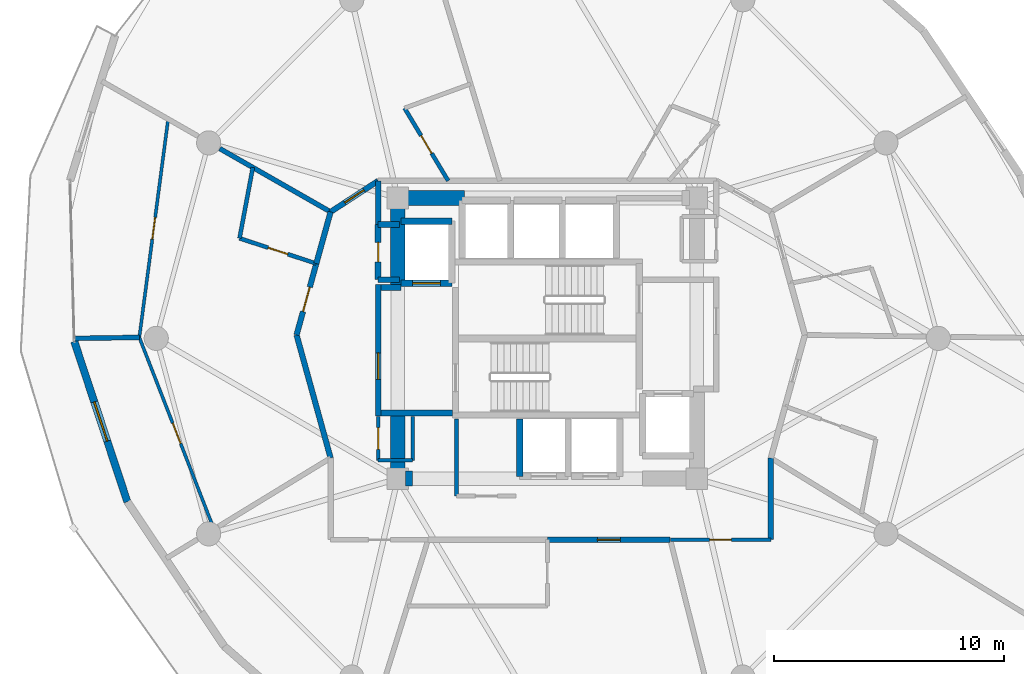
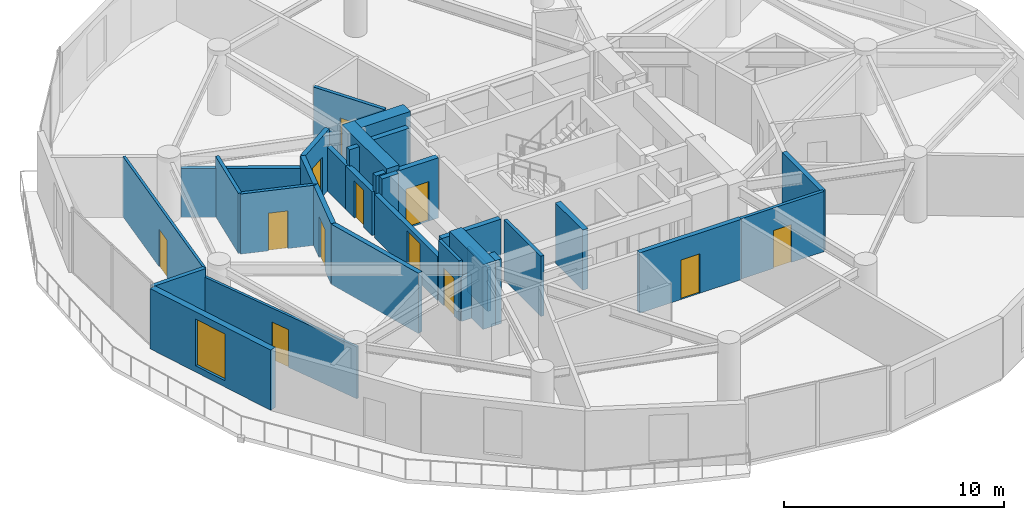
# One storey, part 15 of 20: 33 walls, 12 doors, 1 window, 13 openings.
"""IFC4 building model written with IfcOpenShell, lengths in metres."""

from ifc_helpers import new_model, si_unit, direction, frame, frame_2d, origin, place, context, subcontext, project, spatial, rectangle, extrude, material, layer, layer_set, type_object, element, fill, save


model = new_model("IFC4")

# Units and contexts
model_context = context("Model", 3, precision=1e-05, world=origin(), true_north=direction((0.0, 1.0)))
body_context = subcontext(model_context, "Body", "Model", "MODEL_VIEW")
ifc_project = project(units=[si_unit("LENGTHUNIT", "METRE"), si_unit("AREAUNIT", "SQUARE_METRE"), si_unit("VOLUMEUNIT", "CUBIC_METRE"), si_unit("PLANEANGLEUNIT", "RADIAN"), si_unit("MASSUNIT", "GRAM", prefix="KILO")], contexts=[model_context])

# Site, building, storey
site_placement = place(None, origin())
site = spatial("IfcSite", under=ifc_project, at=site_placement, CompositionType="ELEMENT")
building_placement = place(site_placement, origin())
building = spatial("IfcBuilding", under=site, at=building_placement, Name="Solvirekh Grand Hotel", CompositionType="ELEMENT")
storey_placement = place(building_placement, frame((0.0, 0.0, 156.60009765625)))
storey = spatial("IfcBuildingStorey", under=building, at=storey_placement, Name="L40", CompositionType="ELEMENT", Elevation=156.60009765625)

# Wall
ifc_material_1 = material(Name="Concrete C40/50", Category="concrete")
ifc_layer_1 = layer(ifc_material_1, 0.280029296875)
ifc_layer_set_1 = layer_set([ifc_layer_1], Name="Concrete C40/50")
wall_type_1 = type_object("IfcWallType", Name="CoreShaftWall_RC280", PredefinedType="SOLIDWALL", material=ifc_layer_set_1)
wall_1_placement = place(storey_placement, frame((-1.199951171875, -3.5, 0.0), z_axis=(0.0, 0.0, 1.0), x_axis=(0.0, -1.0, 0.0)))
element("IfcWall", 1, at=wall_1_placement, inside=storey, type_object=wall_type_1, Name="L40 MP-1 hoistway W wall", PredefinedType="SOLIDWALL", context=body_context, shape_type="SweptSolid", body=[
    extrude(rectangle(XDim=2.5, YDim=0.280029296875, at=frame_2d((1.25, 0.0))), origin(), (0.0, 0.0, 1.0), 3.349853515625),
])

# Wall, opening, door
wall_2_placement = place(storey_placement, frame((-6.35009765625, 2.39990234375, 0.0), z_axis=(0.0, 0.0, 1.0), x_axis=(1.0, 0.0, 0.0)))
wall_2 = element("IfcWall", 2, at=wall_2_placement, inside=storey, type_object=wall_type_1, Name="L40 FL-1 hoistway S wall", PredefinedType="SOLIDWALL", context=body_context, shape_type="SweptSolid", body=[
    extrude(rectangle(XDim=2.2001953125, YDim=0.280029296875, at=frame_2d((1.10009765625, 0.0))), origin(), (0.0, 0.0, 1.0), 3.349853515625),
])
opening_1_placement = place(wall_2_placement, frame((0.5, 0.0, 0.0)))
opening_1 = element("IfcOpeningElement", 3, at=opening_1_placement, cuts=wall_2, Name="Opening LD02", PredefinedType="OPENING", context=body_context, shape_type="SweptSolid", body=[
    extrude(rectangle(XDim=1.199951171875, YDim=2.199951171875, at=frame_2d((0.60009765625, 1.10009765625))), frame((0.0, 0.14990234375, 0.0), z_axis=(0.0, -1.0, 0.0), x_axis=(1.0, 0.0, 0.0)), (0.0, 0.0, 1.0), 0.300048828125),
])
ifc_material_2 = material(Name="Fire-Rated Steel Door Assembly", Category="steel")
door_type_1 = type_object("IfcDoorType", Name="Door_LiftFF_1200X2200", OperationType="SLIDING_TO_LEFT", PredefinedType="DOOR", material=ifc_material_2)
door_1_placement = place(opening_1_placement, origin())
door_1 = element("IfcDoor", 4, at=door_1_placement, inside=storey, type_object=door_type_1, Name="L40 FL-1 sliding lift landing door", OperationType="SLIDING_TO_LEFT", OverallHeight=2.199951171875, OverallWidth=1.199951171875, PredefinedType="DOOR", context=body_context, shape_type="SweptSolid", body=[
    extrude(rectangle(XDim=1.199951171875, YDim=2.199951171875, at=frame_2d((0.60009765625, 1.10009765625))), frame((0.0, 0.02490234375, 0.0), z_axis=(0.0, -1.0, 0.0), x_axis=(1.0, 0.0, 0.0)), (0.0, 0.0, 1.0), 0.050048828125),
])
fill(opening_1, door_1)

# Walls
wall_3_placement = place(storey_placement, frame((-4.14990234375, 5.10009765625, 0.0), z_axis=(0.0, 0.0, 1.0), x_axis=(-1.0, 0.0, 0.0)))
element("IfcWall", 5, at=wall_3_placement, inside=storey, type_object=wall_type_1, Name="L40 FL-1 hoistway N wall", PredefinedType="SOLIDWALL", context=body_context, shape_type="SweptSolid", body=[
    extrude(rectangle(XDim=2.2001953125, YDim=0.280029296875, at=frame_2d((1.10009765625, 0.0))), origin(), (0.0, 0.0, 1.0), 3.349853515625),
])
ifc_material_3 = material(Name="Concrete C50/60", Category="concrete")
ifc_layer_2 = layer(ifc_material_3, 0.64990234375)
ifc_layer_set_2 = layer_set([ifc_layer_2], Name="Concrete C50/60")
wall_type_2 = type_object("IfcWallType", Name="CoreWall_RC650", PredefinedType="SHEAR", material=ifc_layer_set_2)
wall_4_placement = place(storey_placement, frame((-6.175048828125, -6.10009765625, 0.0), z_axis=(0.0, 0.0, 1.0), x_axis=(1.0, 0.0, 0.0)))
element("IfcWall", 6, at=wall_4_placement, inside=storey, type_object=wall_type_2, Name="L40 core corner shear wall SW-S", PredefinedType="SHEAR", context=body_context, shape_type="SweptSolid", body=[
    extrude(rectangle(XDim=0.324951171875, YDim=0.64990234375, at=frame_2d((0.16259765625, 0.0))), origin(), (0.0, 0.0, 1.0), 3.599853515625),
])
wall_5_placement = place(storey_placement, frame((-6.175048828125, 6.10009765625, 0.0), z_axis=(0.0, 0.0, 1.0), x_axis=(1.0, 0.0, 0.0)))
element("IfcWall", 7, at=wall_5_placement, inside=storey, type_object=wall_type_2, Name="L40 core corner shear wall NW-N", PredefinedType="SHEAR", context=body_context, shape_type="SweptSolid", body=[
    extrude(rectangle(XDim=2.574951171875, YDim=0.64990234375, at=frame_2d((1.28759765625, 0.0))), origin(), (0.0, 0.0, 1.0), 3.599853515625),
])
wall_6_placement = place(storey_placement, frame((-6.5, 2.35009765625, 0.0), z_axis=(0.0, 0.0, 1.0), x_axis=(0.0, 1.0, 0.0)))
element("IfcWall", 8, at=wall_6_placement, inside=storey, type_object=wall_type_2, Name="L40 core corner shear wall WN-W", PredefinedType="SHEAR", context=body_context, shape_type="SweptSolid", body=[
    extrude(rectangle(XDim=4.074951171875, YDim=0.64990234375, at=frame_2d((2.03759765625, 0.0))), origin(), (0.0, 0.0, 1.0), 3.599853515625),
])
wall_7_placement = place(storey_placement, frame((-6.5, -6.425048828125, 0.0), z_axis=(0.0, 0.0, 1.0), x_axis=(0.0, 1.0, 0.0)))
element("IfcWall", 9, at=wall_7_placement, inside=storey, type_object=wall_type_2, Name="L40 core corner shear wall WS-W", PredefinedType="SHEAR", context=body_context, shape_type="SweptSolid", body=[
    extrude(rectangle(XDim=3.074951171875, YDim=0.64990234375, at=frame_2d((1.53759765625, 0.0))), origin(), (0.0, 0.0, 1.0), 3.599853515625),
])

# Wall, opening, window
ifc_material_4 = material(Name="Precast concrete C45/55", Category="concrete")
ifc_layer_3 = layer(ifc_material_4, 0.320068359375)
ifc_layer_set_3 = layer_set([ifc_layer_3], Name="Precast concrete C45/55")
wall_type_3 = type_object("IfcWallType", Name="ExtLobbyWall_RC320", PredefinedType="SOLIDWALL", material=ifc_layer_set_3)
wall_8_placement = place(storey_placement, frame((-18.257080078125, -7.10205078125, 0.0), z_axis=(0.0, 0.0, 1.0), x_axis=(-0.314123527442, 0.949382119859, 0.0)))
wall_8 = element("IfcWall", 10, at=wall_8_placement, inside=storey, type_object=wall_type_3, Name="L40 exterior structural wall chord 14", PredefinedType="SOLIDWALL", context=body_context, shape_type="SweptSolid", body=[
    extrude(rectangle(XDim=7.346923828125, YDim=0.320068359375, at=frame_2d((3.67333984375, 0.0))), origin(), (0.0, 0.0, 1.0), 3.349853515625),
])
opening_2_placement = place(wall_8_placement, frame((2.77294921875, 0.0, 0.35009765625)))
opening_2 = element("IfcOpeningElement", 11, at=opening_2_placement, cuts=wall_8, Name="Opening W02", PredefinedType="OPENING", context=body_context, shape_type="SweptSolid", body=[
    extrude(rectangle(XDim=1.800048828125, YDim=2.60009765625, at=frame_2d((0.89990234375, 1.300048828125))), frame((0.0, 0.169921875, 0.0), z_axis=(0.0, -1.0, 0.0), x_axis=(1.0, 0.0, 0.0)), (0.0, 0.0, 1.0), 0.340087890625),
])
ifc_material_5 = material(Name="Low-E Tinted Bronze Laminated Glass", Category="aluminium")
window_type = type_object("IfcWindowType", Name="Win_LobbyExt_1800X2600", PartitioningType="SINGLE_PANEL", PredefinedType="WINDOW", material=ifc_material_5)
window_placement = place(opening_2_placement, origin())
window = element("IfcWindow", 12, at=window_placement, inside=storey, type_object=window_type, Name="L40 panoramic bronze-framed window 14", OverallHeight=2.60009765625, OverallWidth=1.800048828125, PartitioningType="SINGLE_PANEL", PredefinedType="WINDOW", context=body_context, shape_type="SweptSolid", body=[
    extrude(rectangle(XDim=1.800048828125, YDim=2.60009765625, at=frame_2d((0.89990234375, 1.300048828125))), frame((0.0, 0.030029296875, 0.0), z_axis=(0.0, -1.0, 0.0), x_axis=(1.0, 0.0, 0.0)), (0.0, 0.0, 1.0), 0.06005859375),
])
fill(opening_2, window)

# Walls
ifc_material_6 = material(Name="Acoustic Gypsum Partition Assembly")
ifc_layer_4 = layer(ifc_material_6, 0.1650390625)
ifc_layer_set_4 = layer_set([ifc_layer_4], Name="Acoustic Gypsum Partition Assembly")
wall_type_4 = type_object("IfcWallType", Name="Part_BOH_165", PredefinedType="PARTITIONING", material=ifc_layer_set_4)
wall_9_placement = place(storey_placement, frame((-7.35009765625, -5.300048828125, 0.0), z_axis=(0.0, 0.0, 1.0), x_axis=(1.0, 0.0, 0.0)))
element("IfcWall", 13, at=wall_9_placement, inside=storey, type_object=wall_type_4, Name="L40 L40 Butler Service Closet wall 1", PredefinedType="PARTITIONING", context=body_context, shape_type="SweptSolid", body=[
    extrude(rectangle(XDim=1.5, YDim=0.1650390625, at=frame_2d((0.75, 0.0))), origin(), (0.0, 0.0, 1.0), 2.434814453125),
])
wall_10_placement = place(storey_placement, frame((-5.85009765625, -5.300048828125, 0.0), z_axis=(0.0, 0.0, 1.0), x_axis=(0.0, 1.0, 0.0)))
element("IfcWall", 14, at=wall_10_placement, inside=storey, type_object=wall_type_4, Name="L40 L40 Butler Service Closet wall 2", PredefinedType="PARTITIONING", context=body_context, shape_type="SweptSolid", body=[
    extrude(rectangle(XDim=1.900146484375, YDim=0.1650390625, at=frame_2d((0.9501953125, 0.0))), origin(), (0.0, 0.0, 1.0), 2.434814453125),
])

# Wall, opening, door
wall_11_placement = place(storey_placement, frame((-7.35009765625, -3.39990234375, 0.0), z_axis=(0.0, 0.0, 1.0), x_axis=(0.0, -1.0, 0.0)))
wall_11 = element("IfcWall", 15, at=wall_11_placement, inside=storey, type_object=wall_type_4, Name="L40 L40 Butler Service Closet wall 4", PredefinedType="PARTITIONING", context=body_context, shape_type="SweptSolid", body=[
    extrude(rectangle(XDim=1.900146484375, YDim=0.1650390625, at=frame_2d((0.9501953125, 0.0))), origin(), (0.0, 0.0, 1.0), 3.349853515625),
])
opening_3_placement = place(wall_11_placement, frame((0.47509765625, 0.0, 0.0)))
opening_3 = element("IfcOpeningElement", 16, at=opening_3_placement, cuts=wall_11, Name="Opening D10", PredefinedType="OPENING", context=body_context, shape_type="SweptSolid", body=[
    extrude(rectangle(XDim=0.949951171875, YDim=2.10009765625, at=frame_2d((0.47509765625, 1.050048828125))), frame((0.0, 0.092529296875, 0.0), z_axis=(0.0, -1.0, 0.0), x_axis=(1.0, 0.0, 0.0)), (0.0, 0.0, 1.0), 0.18505859375),
])
ifc_material_7 = material(Name="Anodized Bronze Aluminium 6063-T6", Category="aluminium")
door_type_2 = type_object("IfcDoorType", Name="Door_RoomInt_950X2100", OperationType="NOTDEFINED", PredefinedType="DOOR", material=ifc_material_7)
door_2_placement = place(opening_3_placement, origin())
door_2 = element("IfcDoor", 17, at=door_2_placement, inside=storey, type_object=door_type_2, Name="L40 L40 Butler Service Closet door", OperationType="SINGLE_SWING_LEFT", OverallHeight=2.10009765625, OverallWidth=0.949951171875, PredefinedType="DOOR", context=body_context, shape_type="SweptSolid", body=[
    extrude(rectangle(XDim=0.949951171875, YDim=2.10009765625, at=frame_2d((0.47509765625, 1.050048828125))), frame((0.0, 0.02490234375, 0.0), z_axis=(0.0, -1.0, 0.0), x_axis=(1.0, 0.0, 0.0)), (0.0, 0.0, 1.0), 0.050048828125),
])
fill(opening_3, door_2)

# Wall
wall_12_placement = place(storey_placement, frame((-3.949951171875, -3.5, 0.0), z_axis=(0.0, 0.0, 1.0), x_axis=(0.0, -1.0, 0.0)))
element("IfcWall", 18, at=wall_12_placement, inside=storey, type_object=wall_type_4, Name="L40 Mid-Zone Housekeeping Room wall 4", PredefinedType="PARTITIONING", context=body_context, shape_type="SweptSolid", body=[
    extrude(rectangle(XDim=3.35009765625, YDim=0.1650390625, at=frame_2d((1.675048828125, 0.0))), origin(), (0.0, 0.0, 1.0), 3.349853515625),
])

# Wall, opening, door
wall_13_placement = place(storey_placement, frame((5.345947265625, -8.75, 0.0), z_axis=(0.0, 0.0, 1.0), x_axis=(1.0, 0.0, 0.0)))
wall_13 = element("IfcWall", 19, at=wall_13_placement, inside=storey, type_object=wall_type_4, Name="L40 L40 Butler Valet & Linen Steward Room entrance wall", PredefinedType="PARTITIONING", context=body_context, shape_type="SweptSolid", body=[
    extrude(rectangle(XDim=4.3740234375, YDim=0.1650390625, at=frame_2d((2.18701171875, 0.0))), origin(), (0.0, 0.0, 1.0), 3.349853515625),
])
opening_4_placement = place(wall_13_placement, frame((1.7119140625, 0.0, 0.0)))
opening_4 = element("IfcOpeningElement", 20, at=opening_4_placement, cuts=wall_13, Name="Opening D10", PredefinedType="OPENING", context=body_context, shape_type="SweptSolid", body=[
    extrude(rectangle(XDim=0.949951171875, YDim=2.10009765625, at=frame_2d((0.47509765625, 1.050048828125))), frame((0.0, 0.092529296875, 0.0), z_axis=(0.0, -1.0, 0.0), x_axis=(1.0, 0.0, 0.0)), (0.0, 0.0, 1.0), 0.18505859375),
])
door_3_placement = place(opening_4_placement, origin())
door_3 = element("IfcDoor", 21, at=door_3_placement, inside=storey, type_object=door_type_2, Name="L40 L40 Butler Valet & Linen Steward Room entrance door", OperationType="SINGLE_SWING_RIGHT", OverallHeight=2.10009765625, OverallWidth=0.949951171875, PredefinedType="DOOR", context=body_context, shape_type="SweptSolid", body=[
    extrude(rectangle(XDim=0.949951171875, YDim=2.10009765625, at=frame_2d((0.47509765625, 1.050048828125))), frame((0.0, 0.02490234375, 0.0), z_axis=(0.0, -1.0, 0.0), x_axis=(1.0, 0.0, 0.0)), (0.0, 0.0, 1.0), 0.050048828125),
])
fill(opening_4, door_3)

ifc_layer_5 = layer(ifc_material_6, 0.239990234375)
ifc_layer_set_5 = layer_set([ifc_layer_5], Name="Acoustic Gypsum Partition Assembly")
wall_type_5 = type_object("IfcWallType", Name="Part_Corridor_240", PredefinedType="PARTITIONING", material=ifc_layer_set_5)
wall_14_placement = place(storey_placement, frame((-7.35009765625, -3.3798828125, 0.0), z_axis=(0.0, 0.0, 1.0), x_axis=(0.0, 1.0, 0.0)))
wall_14 = element("IfcWall", 22, at=wall_14_placement, inside=storey, type_object=wall_type_5, Name="L40 west firefighting lobby smoke screen wall", PredefinedType="PARTITIONING", context=body_context, shape_type="SweptSolid", body=[
    extrude(rectangle(XDim=5.719970703125, YDim=0.239990234375, at=frame_2d((2.85986328125, 0.0))), origin(), (0.0, 0.0, 1.0), 2.434814453125),
])
opening_5_placement = place(wall_14_placement, frame((1.59912109375, 0.0, 0.0)))
opening_5 = element("IfcOpeningElement", 23, at=opening_5_placement, cuts=wall_14, Name="Opening D06", PredefinedType="OPENING", context=body_context, shape_type="SweptSolid", body=[
    extrude(rectangle(XDim=1.14990234375, YDim=2.199951171875, at=frame_2d((0.574951171875, 1.10009765625))), frame((0.0, 0.1298828125, 0.0), z_axis=(0.0, -1.0, 0.0), x_axis=(1.0, 0.0, 0.0)), (0.0, 0.0, 1.0), 0.260009765625),
])
door_type_3 = type_object("IfcDoorType", Name="Door_FFLobby_1150X2200", OperationType="NOTDEFINED", PredefinedType="DOOR", material=ifc_material_2)
door_4_placement = place(opening_5_placement, origin())
door_4 = element("IfcDoor", 24, at=door_4_placement, inside=storey, type_object=door_type_3, Name="L40 west firefighting lobby smoke door", OperationType="SINGLE_SWING_RIGHT", OverallHeight=2.199951171875, OverallWidth=1.14990234375, PredefinedType="DOOR", context=body_context, shape_type="SweptSolid", body=[
    extrude(rectangle(XDim=1.14990234375, YDim=2.199951171875, at=frame_2d((0.574951171875, 1.10009765625))), frame((0.0, 0.02490234375, 0.0), z_axis=(0.0, -1.0, 0.0), x_axis=(1.0, 0.0, 0.0)), (0.0, 0.0, 1.0), 0.050048828125),
])
fill(opening_5, door_4)

# Wall
wall_15_placement = place(storey_placement, frame((-7.35009765625, 4.949951171875, 0.0), z_axis=(0.0, 0.0, 1.0), x_axis=(0.0, 1.0, 0.0)))
element("IfcWall", 25, at=wall_15_placement, inside=storey, type_object=wall_type_5, Name="L40 NW core cheek closure wall", PredefinedType="PARTITIONING", context=body_context, shape_type="SweptSolid", body=[
    extrude(rectangle(XDim=1.900146484375, YDim=0.239990234375, at=frame_2d((0.9501953125, 0.0))), origin(), (0.0, 0.0, 1.0), 2.434814453125),
])

# Wall, opening, door
wall_16_placement = place(storey_placement, frame((-9.419921875, 5.5, 0.0), z_axis=(0.0, 0.0, 1.0), x_axis=(0.837571286912, 0.546328051029, 0.0)))
wall_16 = element("IfcWall", 26, at=wall_16_placement, inside=storey, type_object=wall_type_5, Name="L40 Deluxe Guestroom 4202 entrance wall", PredefinedType="PARTITIONING", context=body_context, shape_type="SweptSolid", body=[
    extrude(rectangle(XDim=2.47119140625, YDim=0.239990234375, at=frame_2d((1.235595703125, 0.0))), origin(), (0.0, 0.0, 1.0), 3.349853515625),
])
opening_6_placement = place(wall_16_placement, frame((0.736083984375, 0.0, 0.0)))
opening_6 = element("IfcOpeningElement", 27, at=opening_6_placement, cuts=wall_16, Name="Opening D07", PredefinedType="OPENING", context=body_context, shape_type="SweptSolid", body=[
    extrude(rectangle(XDim=1.0, YDim=2.199951171875, at=frame_2d((0.5, 1.10009765625))), frame((0.0, 0.1298828125, 0.0), z_axis=(0.0, -1.0, 0.0), x_axis=(1.0, 0.0, 0.0)), (0.0, 0.0, 1.0), 0.260009765625),
])
door_type_4 = type_object("IfcDoorType", Name="Door_GuestEntry_1000X2200", OperationType="NOTDEFINED", PredefinedType="DOOR", material=ifc_material_2)
door_5_placement = place(opening_6_placement, origin())
door_5 = element("IfcDoor", 28, at=door_5_placement, inside=storey, type_object=door_type_4, Name="L40 Deluxe Guestroom 4202 entrance door", OperationType="SINGLE_SWING_RIGHT", OverallHeight=2.199951171875, OverallWidth=1.0, PredefinedType="DOOR", context=body_context, shape_type="SweptSolid", body=[
    extrude(rectangle(XDim=1.0, YDim=2.199951171875, at=frame_2d((0.5, 1.10009765625))), frame((0.0, 0.02490234375, 0.0), z_axis=(0.0, -1.0, 0.0), x_axis=(1.0, 0.0, 0.0)), (0.0, 0.0, 1.0), 0.050048828125),
])
fill(opening_6, door_5)

# Walls
wall_17_placement = place(storey_placement, frame((-9.419921875, 5.5, 0.0), z_axis=(0.0, 0.0, 1.0), x_axis=(-0.266801280383, -0.963751563831, 0.0)))
element("IfcWall", 29, at=wall_17_placement, inside=storey, type_object=wall_type_5, Name="L40 En-suite Bathroom 4203 corridor backing wall", PredefinedType="PARTITIONING", context=body_context, shape_type="SweptSolid", body=[
    extrude(rectangle(XDim=2.33154296875, YDim=0.239990234375, at=frame_2d((1.165771484375, 0.0))), origin(), (0.0, 0.0, 1.0), 3.349853515625),
])
wall_18_placement = place(storey_placement, frame((-10.89990234375, 0.14990234375, 0.0), z_axis=(0.0, 0.0, 1.0), x_axis=(0.266625172958, -0.963800299411, 0.0)))
element("IfcWall", 30, at=wall_18_placement, inside=storey, type_object=wall_type_5, Name="L40 Executive Suite 4203 Living Room corridor wall 1", PredefinedType="PARTITIONING", context=body_context, shape_type="SweptSolid", body=[
    extrude(rectangle(XDim=5.55078125, YDim=0.239990234375, at=frame_2d((2.775390625, 0.0))), origin(), (0.0, 0.0, 1.0), 3.349853515625),
])

# Wall, opening, door
wall_19_placement = place(storey_placement, frame((-10.0419921875, 3.2529296875, 0.0), z_axis=(0.0, 0.0, 1.0), x_axis=(-0.266478138733, -0.963840962803, 0.0)))
wall_19 = element("IfcWall", 31, at=wall_19_placement, inside=storey, type_object=wall_type_5, Name="L40 Executive Suite 4203 Living Room entrance wall", PredefinedType="PARTITIONING", context=body_context, shape_type="SweptSolid", body=[
    extrude(rectangle(XDim=3.219482421875, YDim=0.239990234375, at=frame_2d((1.60986328125, 0.0))), origin(), (0.0, 0.0, 1.0), 3.349853515625),
])
opening_7_placement = place(wall_19_placement, frame((1.06005859375, 0.0, 0.0)))
opening_7 = element("IfcOpeningElement", 32, at=opening_7_placement, cuts=wall_19, Name="Opening D08", PredefinedType="OPENING", context=body_context, shape_type="SweptSolid", body=[
    extrude(rectangle(XDim=1.10009765625, YDim=2.300048828125, at=frame_2d((0.550048828125, 1.14990234375))), frame((0.0, 0.1298828125, 0.0), z_axis=(0.0, -1.0, 0.0), x_axis=(1.0, 0.0, 0.0)), (0.0, 0.0, 1.0), 0.260009765625),
])
door_type_5 = type_object("IfcDoorType", Name="Door_SuiteEntry_1100X2300", OperationType="NOTDEFINED", PredefinedType="DOOR", material=ifc_material_2)
door_6_placement = place(opening_7_placement, origin())
door_6 = element("IfcDoor", 33, at=door_6_placement, inside=storey, type_object=door_type_5, Name="L40 Executive Suite 4203 Living Room entrance door", OperationType="SINGLE_SWING_RIGHT", OverallHeight=2.300048828125, OverallWidth=1.10009765625, PredefinedType="DOOR", context=body_context, shape_type="SweptSolid", body=[
    extrude(rectangle(XDim=1.10009765625, YDim=2.300048828125, at=frame_2d((0.550048828125, 1.14990234375))), frame((0.0, 0.02490234375, 0.0), z_axis=(0.0, -1.0, 0.0), x_axis=(1.0, 0.0, 0.0)), (0.0, 0.0, 1.0), 0.050048828125),
])
fill(opening_7, door_6)

wall_20_placement = place(storey_placement, frame((0.0, -8.75, 0.0), z_axis=(0.0, 0.0, 1.0), x_axis=(1.0, 0.0, 0.0)))
wall_20 = element("IfcWall", 34, at=wall_20_placement, inside=storey, type_object=wall_type_5, Name="L40 Deluxe Guestroom 4206 entrance wall", PredefinedType="PARTITIONING", context=body_context, shape_type="SweptSolid", body=[
    extrude(rectangle(XDim=5.345947265625, YDim=0.239990234375, at=frame_2d((2.6728515625, 0.0))), origin(), (0.0, 0.0, 1.0), 3.349853515625),
])
opening_8_placement = place(wall_20_placement, frame((2.173095703125, 0.0, 0.0)))
opening_8 = element("IfcOpeningElement", 35, at=opening_8_placement, cuts=wall_20, Name="Opening D07", PredefinedType="OPENING", context=body_context, shape_type="SweptSolid", body=[
    extrude(rectangle(XDim=1.0, YDim=2.199951171875, at=frame_2d((0.5, 1.10009765625))), frame((0.0, 0.1298828125, 0.0), z_axis=(0.0, -1.0, 0.0), x_axis=(1.0, 0.0, 0.0)), (0.0, 0.0, 1.0), 0.260009765625),
])
door_7_placement = place(opening_8_placement, origin())
door_7 = element("IfcDoor", 36, at=door_7_placement, inside=storey, type_object=door_type_4, Name="L40 Deluxe Guestroom 4206 entrance door", OperationType="SINGLE_SWING_LEFT", OverallHeight=2.199951171875, OverallWidth=1.0, PredefinedType="DOOR", context=body_context, shape_type="SweptSolid", body=[
    extrude(rectangle(XDim=1.0, YDim=2.199951171875, at=frame_2d((0.5, 1.10009765625))), frame((0.0, 0.02490234375, 0.0), z_axis=(0.0, -1.0, 0.0), x_axis=(1.0, 0.0, 0.0)), (0.0, 0.0, 1.0), 0.050048828125),
])
fill(opening_8, door_7)

# Walls
wall_21_placement = place(storey_placement, frame((9.719970703125, -8.75, 0.0), z_axis=(0.0, 0.0, 1.0), x_axis=(0.0, 1.0, 0.0)))
element("IfcWall", 37, at=wall_21_placement, inside=storey, type_object=wall_type_5, Name="L40 L40 Butler Valet & Linen Steward Room corridor wall 1", PredefinedType="PARTITIONING", context=body_context, shape_type="SweptSolid", body=[
    extrude(rectangle(XDim=3.550048828125, YDim=0.239990234375, at=frame_2d((1.77490234375, 0.0))), origin(), (0.0, 0.0, 1.0), 3.349853515625),
])
ifc_layer_6 = layer(ifc_material_6, 0.260009765625)
ifc_layer_set_6 = layer_set([ifc_layer_6], Name="Acoustic Gypsum Partition Assembly")
wall_type_6 = type_object("IfcWallType", Name="Part_LobbyFF_260", PredefinedType="PARTITIONING", material=ifc_layer_set_6)
wall_22_placement = place(storey_placement, frame((-7.22509765625, -3.25, 0.0), z_axis=(0.0, 0.0, 1.0), x_axis=(1.0, 0.0, 0.0)))
element("IfcWall", 38, at=wall_22_placement, inside=storey, type_object=wall_type_6, Name="L40 west firefighting lobby south partition", PredefinedType="PARTITIONING", context=body_context, shape_type="SweptSolid", body=[
    extrude(rectangle(XDim=3.09521484375, YDim=0.260009765625, at=frame_2d((1.547607421875, 0.0))), origin(), (0.0, 0.0, 1.0), 3.349853515625),
])
wall_23_placement = place(storey_placement, frame((-7.22509765625, 2.2099609375, 0.0), z_axis=(0.0, 0.0, 1.0), x_axis=(1.0, 0.0, 0.0)))
element("IfcWall", 39, at=wall_23_placement, inside=storey, type_object=wall_type_6, Name="L40 west firefighting lobby NW cheek", PredefinedType="PARTITIONING", context=body_context, shape_type="SweptSolid", body=[
    extrude(rectangle(XDim=0.875, YDim=0.260009765625, at=frame_2d((0.4375, 0.0))), origin(), (0.0, 0.0, 1.0), 3.349853515625),
])
for number, where, z_axis, x_axis, name in (
    (40, (-7.35009765625, 4.949951171875, 0.0), (0.0, 0.0, 1.0), (1.0, 0.0, 0.0), "L40 NW telecom metering cupboard north wall"),
    (41, (-7.35009765625, 2.550048828125, 0.0), (0.0, 0.0, 1.0), (1.0, 0.0, 0.0), "L40 NW telecom metering cupboard south wall"),
):
    element("IfcWall", number, at=place(storey_placement, frame(where, z_axis=z_axis, x_axis=x_axis)), inside=storey, type_object=wall_type_6, Name=name, PredefinedType="PARTITIONING", context=body_context, shape_type="SweptSolid", body=[
        extrude(rectangle(XDim=0.93017578125, YDim=0.260009765625, at=frame_2d((0.465087890625, 0.0))), origin(), (0.0, 0.0, 1.0), 3.349853515625),
    ])

# Wall, opening, door
wall_24_placement = place(storey_placement, frame((-7.35009765625, 2.550048828125, 0.0), z_axis=(0.0, 0.0, 1.0), x_axis=(0.0, 1.0, 0.0)))
wall_24 = element("IfcWall", 42, at=wall_24_placement, inside=storey, type_object=wall_type_6, Name="L40 NW telecom metering cupboard access wall", PredefinedType="PARTITIONING", context=body_context, shape_type="SweptSolid", body=[
    extrude(rectangle(XDim=2.39990234375, YDim=0.260009765625, at=frame_2d((1.199951171875, 0.0))), origin(), (0.0, 0.0, 1.0), 2.434814453125),
])
opening_9_placement = place(wall_24_placement, frame((0.77490234375, 0.0, 0.0)))
opening_9 = element("IfcOpeningElement", 43, at=opening_9_placement, cuts=wall_24, Name="Opening D13", PredefinedType="OPENING", context=body_context, shape_type="SweptSolid", body=[
    extrude(rectangle(XDim=0.85009765625, YDim=2.050048828125, at=frame_2d((0.425048828125, 1.02490234375))), frame((0.0, 0.14013671875, 0.0), z_axis=(0.0, -1.0, 0.0), x_axis=(1.0, 0.0, 0.0)), (0.0, 0.0, 1.0), 0.280029296875),
])
door_type_6 = type_object("IfcDoorType", Name="Door_RiserShaft_850X2050", OperationType="NOTDEFINED", PredefinedType="DOOR", material=ifc_material_2)
door_8_placement = place(opening_9_placement, origin())
door_8 = element("IfcDoor", 44, at=door_8_placement, inside=storey, type_object=door_type_6, Name="L40 telecom metering cupboard access door", OperationType="SINGLE_SWING_RIGHT", OverallHeight=2.050048828125, OverallWidth=0.85009765625, PredefinedType="DOOR", context=body_context, shape_type="SweptSolid", body=[
    extrude(rectangle(XDim=0.85009765625, YDim=2.050048828125, at=frame_2d((0.425048828125, 1.02490234375))), frame((0.0, 0.02490234375, 0.0), z_axis=(0.0, -1.0, 0.0), x_axis=(1.0, 0.0, 0.0)), (0.0, 0.0, 1.0), 0.050048828125),
])
fill(opening_9, door_8)

ifc_layer_7 = layer(ifc_material_6, 0.135009765625)
ifc_layer_set_7 = layer_set([ifc_layer_7], Name="Acoustic Gypsum Partition Assembly")
wall_type_7 = type_object("IfcWallType", Name="Part_RoomInt_135", PredefinedType="PARTITIONING", material=ifc_layer_set_7)
wall_25_placement = place(storey_placement, frame((-16.48193359375, 9.533935546875, 0.0), z_axis=(0.0, 0.0, 1.0), x_axis=(-0.131002685595, -0.991382013336, 0.0)))
wall_25 = element("IfcWall", 45, at=wall_25_placement, inside=storey, type_object=wall_type_7, Name="L40 Executive Suite 4203 Living Room bedroom screen wall", PredefinedType="PARTITIONING", context=body_context, shape_type="SweptSolid", body=[
    extrude(rectangle(XDim=9.573486328125, YDim=0.135009765625, at=frame_2d((4.78662109375, 0.0))), origin(), (0.0, 0.0, 1.0), 3.349853515625),
])
opening_10_placement = place(wall_25_placement, frame((4.31201171875, 0.0, 0.0)))
opening_10 = element("IfcOpeningElement", 46, at=opening_10_placement, cuts=wall_25, Name="Opening D10", PredefinedType="OPENING", context=body_context, shape_type="SweptSolid", body=[
    extrude(rectangle(XDim=0.949951171875, YDim=2.10009765625, at=frame_2d((0.47509765625, 1.050048828125))), frame((0.0, 0.07763671875, 0.0), z_axis=(0.0, -1.0, 0.0), x_axis=(1.0, 0.0, 0.0)), (0.0, 0.0, 1.0), 0.155029296875),
])
door_9_placement = place(opening_10_placement, origin())
door_9 = element("IfcDoor", 47, at=door_9_placement, inside=storey, type_object=door_type_2, Name="L40 Executive Suite 4203 Living Room master bedroom door", OperationType="SINGLE_SWING_LEFT", OverallHeight=2.10009765625, OverallWidth=0.949951171875, PredefinedType="DOOR", context=body_context, shape_type="SweptSolid", body=[
    extrude(rectangle(XDim=0.949951171875, YDim=2.10009765625, at=frame_2d((0.47509765625, 1.050048828125))), frame((0.0, 0.02490234375, 0.0), z_axis=(0.0, -1.0, 0.0), x_axis=(1.0, 0.0, 0.0)), (0.0, 0.0, 1.0), 0.050048828125),
])
fill(opening_10, door_9)

wall_26_placement = place(storey_placement, frame((-17.736083984375, 0.04296875, 0.0), z_axis=(0.0, 0.0, 1.0), x_axis=(0.362756961883, -0.931883783851, 0.0)))
wall_26 = element("IfcWall", 48, at=wall_26_placement, inside=storey, type_object=wall_type_7, Name="L40 Executive Suite 4203 Panorama Suite Study bedroom screen wall", PredefinedType="PARTITIONING", context=body_context, shape_type="SweptSolid", body=[
    extrude(rectangle(XDim=8.948486328125, YDim=0.135009765625, at=frame_2d((4.47412109375, 0.0))), origin(), (0.0, 0.0, 1.0), 2.8779296875),
])
opening_11_placement = place(wall_26_placement, frame((3.9990234375, 0.0, 0.0)))
opening_11 = element("IfcOpeningElement", 49, at=opening_11_placement, cuts=wall_26, Name="Opening D10", PredefinedType="OPENING", context=body_context, shape_type="SweptSolid", body=[
    extrude(rectangle(XDim=0.949951171875, YDim=2.10009765625, at=frame_2d((0.47509765625, 1.050048828125))), frame((0.0, 0.07763671875, 0.0), z_axis=(0.0, -1.0, 0.0), x_axis=(1.0, 0.0, 0.0)), (0.0, 0.0, 1.0), 0.155029296875),
])
door_10_placement = place(opening_11_placement, origin())
door_10 = element("IfcDoor", 50, at=door_10_placement, inside=storey, type_object=door_type_2, Name="L40 Executive Suite 4203 Panorama Suite Study master bedroom door", OperationType="SINGLE_SWING_RIGHT", OverallHeight=2.10009765625, OverallWidth=0.949951171875, PredefinedType="DOOR", context=body_context, shape_type="SweptSolid", body=[
    extrude(rectangle(XDim=0.949951171875, YDim=2.10009765625, at=frame_2d((0.47509765625, 1.050048828125))), frame((0.0, 0.02490234375, 0.0), z_axis=(0.0, -1.0, 0.0), x_axis=(1.0, 0.0, 0.0)), (0.0, 0.0, 1.0), 0.050048828125),
])
fill(opening_11, door_10)

# Walls
ifc_layer_8 = layer(ifc_material_6, 0.2099609375)
ifc_layer_set_8 = layer_set([ifc_layer_8], Name="Acoustic Gypsum Partition Assembly")
wall_type_8 = type_object("IfcWallType", Name="Part_SuiteDemise_210", PredefinedType="PARTITIONING", material=ifc_layer_set_8)
wall_27_placement = place(storey_placement, frame((-9.419921875, 5.5, 0.0), z_axis=(0.0, 0.0, 1.0), x_axis=(-0.868373112855, 0.495911420387, 0.0)))
element("IfcWall", 51, at=wall_27_placement, inside=storey, type_object=wall_type_8, Name="L40 suite radial wall 6 (A)", PredefinedType="PARTITIONING", context=body_context, shape_type="SweptSolid", body=[
    extrude(rectangle(XDim=5.54736328125, YDim=0.2099609375, at=frame_2d((2.773681640625, 0.0))), origin(), (0.0, 0.0, 1.0), 2.716796875),
])
wall_28_placement = place(storey_placement, frame((-17.736083984375, 0.04296875, 0.0), z_axis=(0.0, 0.0, 1.0), x_axis=(-0.999881595037, -0.01538817425, 0.0)))
element("IfcWall", 52, at=wall_28_placement, inside=storey, type_object=wall_type_8, Name="L40 Executive Suite 4203 Living Room dividing partition 1", PredefinedType="PARTITIONING", context=body_context, shape_type="SweptSolid", body=[
    extrude(rectangle(XDim=2.792236328125, YDim=0.2099609375, at=frame_2d((1.39599609375, 0.0))), origin(), (0.0, 0.0, 1.0), 3.349853515625),
])

# Wall, opening, door
ifc_layer_9 = layer(ifc_material_6, 0.175048828125)
ifc_layer_set_9 = layer_set([ifc_layer_9], Name="Acoustic Gypsum Partition Assembly")
wall_type_9 = type_object("IfcWallType", Name="Plumb_Ensuite_175", PredefinedType="PLUMBINGWALL", material=ifc_layer_set_9)
wall_29_placement = place(storey_placement, frame((-6.202880859375, 10.011962890625, 0.0), z_axis=(0.0, 0.0, 1.0), x_axis=(0.514028157497, -0.857773311138, 0.0)))
wall_29 = element("IfcWall", 53, at=wall_29_placement, inside=storey, type_object=wall_type_9, Name="L40 En-suite Bathroom 4202 entry plumbing wall", PredefinedType="PLUMBINGWALL", context=body_context, shape_type="SweptSolid", body=[
    extrude(rectangle(XDim=3.68603515625, YDim=0.175048828125, at=frame_2d((1.843017578125, 0.0))), origin(), (0.0, 0.0, 1.0), 3.349853515625),
])
opening_12_placement = place(wall_29_placement, frame((1.39306640625, 0.0, 0.0)))
opening_12 = element("IfcOpeningElement", 54, at=opening_12_placement, cuts=wall_29, Name="Opening D09", PredefinedType="OPENING", context=body_context, shape_type="SweptSolid", body=[
    extrude(rectangle(XDim=0.89990234375, YDim=2.10009765625, at=frame_2d((0.449951171875, 1.050048828125))), frame((0.0, 0.09765625, 0.0), z_axis=(0.0, -1.0, 0.0), x_axis=(1.0, 0.0, 0.0)), (0.0, 0.0, 1.0), 0.195068359375),
])
door_type_7 = type_object("IfcDoorType", Name="Door_Ensuite_900X2100", OperationType="NOTDEFINED", PredefinedType="DOOR", material=ifc_material_7)
door_11_placement = place(opening_12_placement, origin())
door_11 = element("IfcDoor", 55, at=door_11_placement, inside=storey, type_object=door_type_7, Name="L40 En-suite Bathroom 4202 door", OperationType="SINGLE_SWING_LEFT", OverallHeight=2.10009765625, OverallWidth=0.89990234375, PredefinedType="DOOR", context=body_context, shape_type="SweptSolid", body=[
    extrude(rectangle(XDim=0.89990234375, YDim=2.10009765625, at=frame_2d((0.449951171875, 1.050048828125))), frame((0.0, 0.02490234375, 0.0), z_axis=(0.0, -1.0, 0.0), x_axis=(1.0, 0.0, 0.0)), (0.0, 0.0, 1.0), 0.050048828125),
])
fill(opening_12, door_11)

# Wall
wall_30_placement = place(storey_placement, frame((-12.802001953125, 7.431884765625, 0.0), z_axis=(0.0, 0.0, 1.0), x_axis=(-0.183813348356, -0.982961165543, 0.0)))
element("IfcWall", 56, at=wall_30_placement, inside=storey, type_object=wall_type_9, Name="L40 En-suite Bathroom 4203 outer plumbing wall", PredefinedType="PLUMBINGWALL", context=body_context, shape_type="SweptSolid", body=[
    extrude(rectangle(XDim=3.13330078125, YDim=0.175048828125, at=frame_2d((1.566650390625, 0.0))), origin(), (0.0, 0.0, 1.0), 3.349853515625),
])

# Wall, opening, door
wall_31_placement = place(storey_placement, frame((-10.0419921875, 3.2529296875, 0.0), z_axis=(0.0, 0.0, 1.0), x_axis=(-0.949775824576, 0.312931115504, 0.0)))
wall_31 = element("IfcWall", 57, at=wall_31_placement, inside=storey, type_object=wall_type_9, Name="L40 En-suite Bathroom 4203 entry plumbing wall", PredefinedType="PLUMBINGWALL", context=body_context, shape_type="SweptSolid", body=[
    extrude(rectangle(XDim=3.512451171875, YDim=0.175048828125, at=frame_2d((1.75634765625, 0.0))), origin(), (0.0, 0.0, 1.0), 3.349853515625),
])
opening_13_placement = place(wall_31_placement, frame((1.305908203125, 0.0, 0.0)))
opening_13 = element("IfcOpeningElement", 58, at=opening_13_placement, cuts=wall_31, Name="Opening D09", PredefinedType="OPENING", context=body_context, shape_type="SweptSolid", body=[
    extrude(rectangle(XDim=0.89990234375, YDim=2.10009765625, at=frame_2d((0.449951171875, 1.050048828125))), frame((0.0, 0.09765625, 0.0), z_axis=(0.0, -1.0, 0.0), x_axis=(1.0, 0.0, 0.0)), (0.0, 0.0, 1.0), 0.195068359375),
])
door_12_placement = place(opening_13_placement, origin())
door_12 = element("IfcDoor", 59, at=door_12_placement, inside=storey, type_object=door_type_7, Name="L40 En-suite Bathroom 4203 door", OperationType="SINGLE_SWING_LEFT", OverallHeight=2.10009765625, OverallWidth=0.89990234375, PredefinedType="DOOR", context=body_context, shape_type="SweptSolid", body=[
    extrude(rectangle(XDim=0.89990234375, YDim=2.10009765625, at=frame_2d((0.449951171875, 1.050048828125))), frame((0.0, 0.02490234375, 0.0), z_axis=(0.0, -1.0, 0.0), x_axis=(1.0, 0.0, 0.0)), (0.0, 0.0, 1.0), 0.050048828125),
])
fill(opening_13, door_12)

save(model, "model.ifc")
